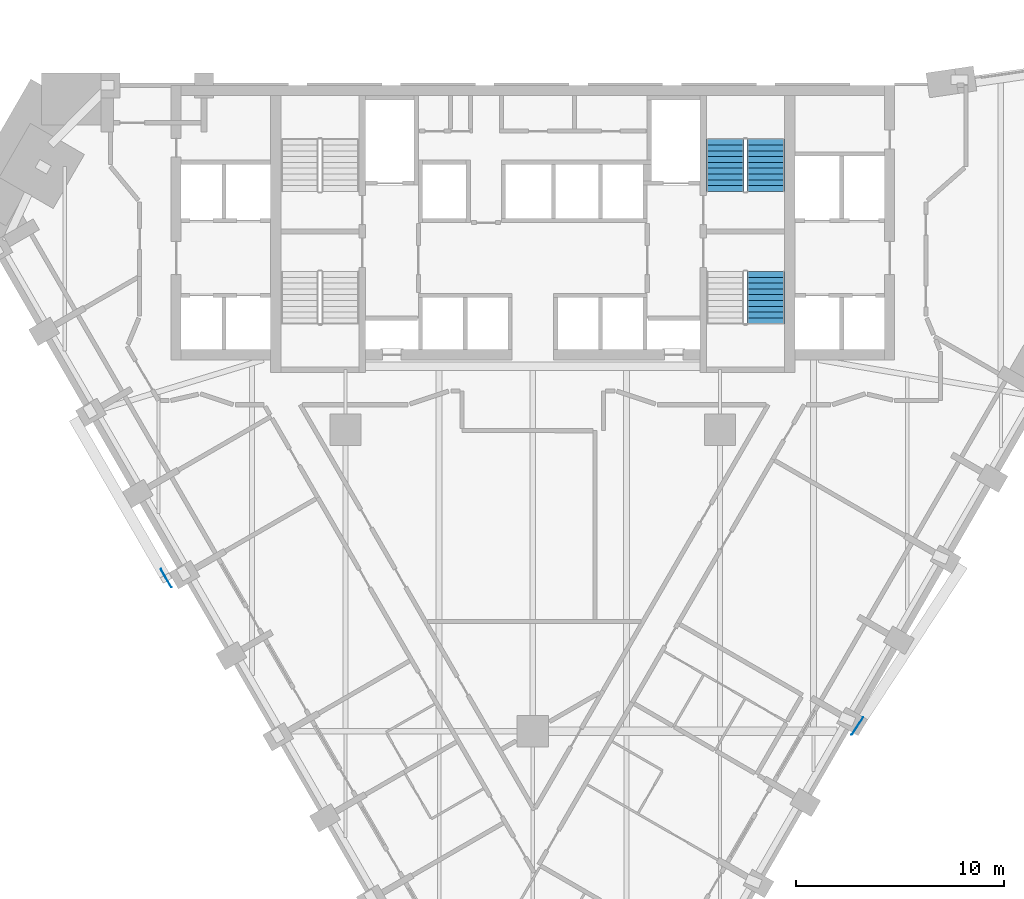
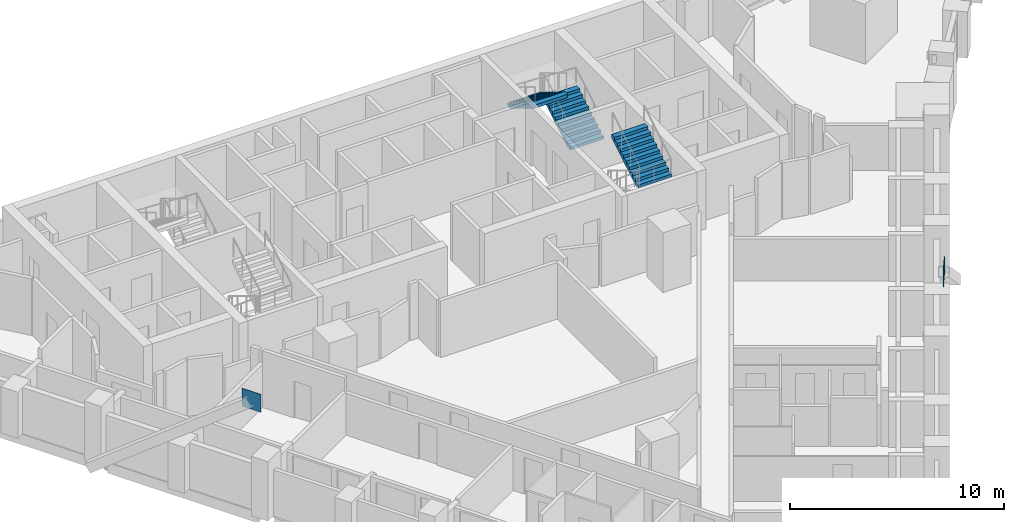
# One storey, part 10 of 11: 3 stair flights, 2 discrete accessories, 2 elements without a shape of their own.
"""IFC4 building model written with IfcOpenShell, lengths in metres."""

from ifc_helpers import new_model, si_unit, direction, frame, origin, origin_2d, place, context, subcontext, project, spatial, rectangle, extrude, faceted_brep, source, transform, mapped, material, type_object, element, aggregate, save


model = new_model("IFC4")

# Units and contexts
model_context = context("Model", 3, precision=1e-05, world=origin(), true_north=direction((0.0, 1.0)))
body_context = subcontext(model_context, "Body", "Model", "MODEL_VIEW")
ifc_project = project(units=[si_unit("LENGTHUNIT", "METRE"), si_unit("AREAUNIT", "SQUARE_METRE"), si_unit("VOLUMEUNIT", "CUBIC_METRE"), si_unit("PLANEANGLEUNIT", "RADIAN"), si_unit("MASSUNIT", "GRAM", prefix="KILO")], contexts=[model_context])

# Site, building, storey
site_placement = place(None, origin())
site = spatial("IfcSite", under=ifc_project, at=site_placement, CompositionType="ELEMENT")
building_placement = place(site_placement, origin())
building = spatial("IfcBuilding", under=site, at=building_placement, Name="Calabash Gate Tower", CompositionType="ELEMENT")
storey_placement = place(building_placement, frame((0.0, 0.0, 98.60009765625)))
storey = spatial("IfcBuildingStorey", under=building, at=storey_placement, Name="L21", CompositionType="ELEMENT", Elevation=98.60009765625)

# Stair, stair flights
ifc_material_1 = material(Name="Concrete C40/50", Category="concrete")
stair_type = type_object("IfcStairType", Name="Exit stair 20 risers of 170 mm", PredefinedType="HALF_TURN_STAIR", material=ifc_material_1)
stair_1_placement = place(storey_placement, origin())
stair_1 = element("IfcStair", 1, at=stair_1_placement, inside=storey, type_object=stair_type, Name="L21 Exit stair ST3", PredefinedType="HALF_TURN_STAIR")
ifc_material_2 = material(Name="Concrete C40/50", Category="concrete")
stair_flight_type = type_object("IfcStairFlightType", Name="Exit stair flight SFL", PredefinedType="STRAIGHT", material=ifc_material_2)
shared_shape = source(origin(), body_context, "Body", "Brep", [
    faceted_brep([(-0.0009765625, -0.89990234375, 0.0), (0.2880859375, -0.89990234375, 0.0), (2.511962890625, -0.89990234375, 1.3544921875), (-0.0009765625, 0.89990234375, 0.0), (2.511962890625, 0.89990234375, 1.3544921875), (0.2880859375, 0.89990234375, 0.0), (2.511962890625, -0.89990234375, 1.5419921875), (2.510986328125, -0.89990234375, 1.5419921875), (2.510986328125, 0.89990234375, 1.5419921875), (2.511962890625, 0.89990234375, 1.5419921875), (2.510986328125, -0.89990234375, 1.530029296875), (2.510986328125, 0.89990234375, 1.530029296875), (2.23193359375, -0.89990234375, 1.530029296875), (2.23193359375, 0.89990234375, 1.530029296875), (2.23193359375, -0.89990234375, 1.360107421875), (2.23193359375, 0.89990234375, 1.360107421875), (1.952880859375, -0.89990234375, 1.360107421875), (1.952880859375, 0.89990234375, 1.360107421875), (1.952880859375, -0.89990234375, 1.18994140625), (1.952880859375, 0.89990234375, 1.18994140625), (1.674072265625, -0.89990234375, 1.18994140625), (1.674072265625, -0.89990234375, 1.02001953125), (1.674072265625, 0.89990234375, 1.02001953125), (1.674072265625, 0.89990234375, 1.18994140625), (1.39501953125, -0.89990234375, 1.02001953125), (1.39501953125, -0.89990234375, 0.85009765625), (1.39501953125, 0.89990234375, 0.85009765625), (1.39501953125, 0.89990234375, 1.02001953125), (1.115966796875, -0.89990234375, 0.85009765625), (1.115966796875, -0.89990234375, 0.679931640625), (1.115966796875, 0.89990234375, 0.679931640625), (1.115966796875, 0.89990234375, 0.85009765625), (0.8369140625, -0.89990234375, 0.679931640625), (0.8369140625, -0.89990234375, 0.510009765625), (0.8369140625, 0.89990234375, 0.510009765625), (0.8369140625, 0.89990234375, 0.679931640625), (0.55810546875, -0.89990234375, 0.510009765625), (0.55810546875, -0.89990234375, 0.340087890625), (0.55810546875, 0.89990234375, 0.340087890625), (0.55810546875, 0.89990234375, 0.510009765625), (0.279052734375, -0.89990234375, 0.340087890625), (0.279052734375, -0.89990234375, 0.169921875), (0.279052734375, 0.89990234375, 0.169921875), (0.279052734375, 0.89990234375, 0.340087890625), (-0.0009765625, -0.89990234375, 0.169921875), (-0.0009765625, 0.89990234375, 0.169921875), (0.2880859375, -0.360107421875, 0.0), (2.511962890625, -0.360107421875, 1.3544921875), (0.2880859375, -0.179931640625, 0.0), (2.511962890625, -0.179931640625, 1.3544921875), (0.2880859375, 0.0, 0.0), (2.511962890625, 0.0, 1.3544921875), (0.2880859375, 0.179931640625, 0.0), (2.511962890625, 0.179931640625, 1.3544921875), (0.2880859375, 0.360107421875, 0.0), (2.511962890625, 0.360107421875, 1.3544921875), (2.511962890625, -0.360107421875, 1.5419921875), (2.511962890625, -0.179931640625, 1.5419921875), (2.511962890625, 0.0, 1.5419921875), (2.511962890625, 0.179931640625, 1.5419921875), (2.511962890625, 0.360107421875, 1.5419921875), (2.510986328125, -0.360107421875, 1.5419921875), (2.510986328125, -0.179931640625, 1.5419921875), (2.510986328125, 0.0, 1.5419921875), (2.510986328125, 0.179931640625, 1.5419921875), (2.510986328125, 0.360107421875, 1.5419921875), (2.510986328125, -0.360107421875, 1.530029296875), (2.510986328125, -0.179931640625, 1.530029296875), (2.510986328125, 0.0, 1.530029296875), (2.510986328125, 0.179931640625, 1.530029296875), (2.510986328125, 0.360107421875, 1.530029296875), (2.23193359375, -0.360107421875, 1.530029296875), (2.23193359375, -0.179931640625, 1.530029296875), (2.23193359375, 0.0, 1.530029296875), (2.23193359375, 0.179931640625, 1.530029296875), (2.23193359375, 0.360107421875, 1.530029296875), (2.23193359375, -0.360107421875, 1.360107421875), (2.23193359375, -0.179931640625, 1.360107421875), (2.23193359375, 0.0, 1.360107421875), (2.23193359375, 0.179931640625, 1.360107421875), (2.23193359375, 0.360107421875, 1.360107421875), (1.952880859375, -0.360107421875, 1.360107421875), (1.952880859375, -0.179931640625, 1.360107421875), (1.952880859375, 0.0, 1.360107421875), (1.952880859375, 0.179931640625, 1.360107421875), (1.952880859375, 0.360107421875, 1.360107421875), (1.952880859375, -0.360107421875, 1.18994140625), (1.952880859375, -0.179931640625, 1.18994140625), (1.952880859375, 0.0, 1.18994140625), (1.952880859375, 0.179931640625, 1.18994140625), (1.952880859375, 0.360107421875, 1.18994140625), (1.674072265625, -0.360107421875, 1.18994140625), (1.674072265625, -0.179931640625, 1.18994140625), (1.674072265625, 0.0, 1.18994140625), (1.674072265625, 0.179931640625, 1.18994140625), (1.674072265625, 0.360107421875, 1.18994140625), (1.674072265625, -0.360107421875, 1.02001953125), (1.674072265625, -0.179931640625, 1.02001953125), (1.674072265625, 0.0, 1.02001953125), (1.674072265625, 0.179931640625, 1.02001953125), (1.674072265625, 0.360107421875, 1.02001953125), (1.39501953125, -0.360107421875, 1.02001953125), (1.39501953125, -0.179931640625, 1.02001953125), (1.39501953125, 0.0, 1.02001953125), (1.39501953125, 0.179931640625, 1.02001953125), (1.39501953125, 0.360107421875, 1.02001953125), (1.39501953125, -0.360107421875, 0.85009765625), (1.39501953125, -0.179931640625, 0.85009765625), (1.39501953125, 0.0, 0.85009765625), (1.39501953125, 0.179931640625, 0.85009765625), (1.39501953125, 0.360107421875, 0.85009765625), (1.115966796875, -0.360107421875, 0.85009765625), (1.115966796875, -0.179931640625, 0.85009765625), (1.115966796875, 0.0, 0.85009765625), (1.115966796875, 0.179931640625, 0.85009765625), (1.115966796875, 0.360107421875, 0.85009765625), (1.115966796875, -0.360107421875, 0.679931640625), (1.115966796875, -0.179931640625, 0.679931640625), (1.115966796875, 0.0, 0.679931640625), (1.115966796875, 0.179931640625, 0.679931640625), (1.115966796875, 0.360107421875, 0.679931640625), (0.8369140625, -0.360107421875, 0.679931640625), (0.8369140625, -0.179931640625, 0.679931640625), (0.8369140625, 0.0, 0.679931640625), (0.8369140625, 0.179931640625, 0.679931640625), (0.8369140625, 0.360107421875, 0.679931640625), (0.8369140625, -0.360107421875, 0.510009765625), (0.8369140625, -0.179931640625, 0.510009765625), (0.8369140625, 0.0, 0.510009765625), (0.8369140625, 0.179931640625, 0.510009765625), (0.8369140625, 0.360107421875, 0.510009765625), (0.55810546875, -0.360107421875, 0.510009765625), (0.55810546875, -0.179931640625, 0.510009765625), (0.55810546875, 0.0, 0.510009765625), (0.55810546875, 0.179931640625, 0.510009765625), (0.55810546875, 0.360107421875, 0.510009765625), (0.55810546875, -0.360107421875, 0.340087890625), (0.55810546875, -0.179931640625, 0.340087890625), (0.55810546875, 0.0, 0.340087890625), (0.55810546875, 0.179931640625, 0.340087890625), (0.55810546875, 0.360107421875, 0.340087890625), (0.279052734375, -0.360107421875, 0.340087890625), (0.279052734375, -0.179931640625, 0.340087890625), (0.279052734375, 0.0, 0.340087890625), (0.279052734375, 0.179931640625, 0.340087890625), (0.279052734375, 0.360107421875, 0.340087890625), (0.279052734375, -0.360107421875, 0.169921875), (0.279052734375, -0.179931640625, 0.169921875), (0.279052734375, 0.0, 0.169921875), (0.279052734375, 0.179931640625, 0.169921875), (0.279052734375, 0.360107421875, 0.169921875), (-0.0009765625, -0.360107421875, 0.169921875), (-0.0009765625, -0.179931640625, 0.169921875), (-0.0009765625, 0.0, 0.169921875), (-0.0009765625, 0.179931640625, 0.169921875), (-0.0009765625, 0.360107421875, 0.169921875), (-0.0009765625, -0.360107421875, 0.0), (-0.0009765625, -0.179931640625, 0.0), (-0.0009765625, 0.0, 0.0), (-0.0009765625, 0.179931640625, 0.0), (-0.0009765625, 0.360107421875, 0.0)], [[[0, 1, 2]], [[3, 4, 5]], [[2, 6, 7]], [[4, 8, 9]], [[2, 7, 10]], [[4, 11, 8]], [[2, 10, 12]], [[4, 13, 11]], [[2, 12, 14]], [[4, 15, 13]], [[2, 14, 16]], [[4, 17, 15]], [[2, 16, 18]], [[4, 19, 17]], [[18, 20, 21]], [[19, 22, 23]], [[2, 18, 21]], [[4, 22, 19]], [[21, 24, 25]], [[22, 26, 27]], [[2, 21, 25]], [[4, 26, 22]], [[25, 28, 29]], [[26, 30, 31]], [[2, 25, 29]], [[4, 30, 26]], [[29, 32, 33]], [[30, 34, 35]], [[2, 29, 33]], [[4, 34, 30]], [[33, 36, 37]], [[34, 38, 39]], [[2, 33, 37]], [[4, 38, 34]], [[37, 40, 41]], [[38, 42, 43]], [[2, 37, 41]], [[4, 42, 38]], [[0, 2, 41]], [[3, 42, 4]], [[41, 44, 0]], [[42, 3, 45]], [[1, 46, 2]], [[46, 47, 2]], [[46, 48, 47]], [[48, 49, 47]], [[48, 50, 49]], [[50, 51, 49]], [[50, 52, 53]], [[50, 53, 51]], [[52, 54, 55]], [[52, 55, 53]], [[54, 5, 4]], [[54, 4, 55]], [[2, 47, 6]], [[47, 56, 6]], [[47, 49, 56]], [[49, 57, 56]], [[49, 51, 57]], [[51, 58, 57]], [[51, 53, 59]], [[51, 59, 58]], [[53, 55, 60]], [[53, 60, 59]], [[55, 4, 9]], [[55, 9, 60]], [[6, 56, 7]], [[56, 61, 7]], [[56, 57, 61]], [[57, 62, 61]], [[57, 58, 62]], [[58, 63, 62]], [[58, 59, 64]], [[58, 64, 63]], [[59, 60, 65]], [[59, 65, 64]], [[60, 9, 8]], [[60, 8, 65]], [[7, 61, 10]], [[61, 66, 10]], [[61, 62, 66]], [[62, 67, 66]], [[62, 63, 67]], [[63, 68, 67]], [[63, 64, 69]], [[63, 69, 68]], [[64, 65, 70]], [[64, 70, 69]], [[65, 8, 11]], [[65, 11, 70]], [[10, 66, 12]], [[66, 71, 12]], [[66, 67, 71]], [[67, 72, 71]], [[67, 68, 72]], [[68, 73, 72]], [[68, 69, 74]], [[68, 74, 73]], [[69, 70, 75]], [[69, 75, 74]], [[70, 11, 13]], [[70, 13, 75]], [[12, 71, 14]], [[71, 76, 14]], [[71, 72, 76]], [[72, 77, 76]], [[72, 73, 77]], [[73, 78, 77]], [[73, 74, 79]], [[73, 79, 78]], [[74, 75, 80]], [[74, 80, 79]], [[75, 13, 15]], [[75, 15, 80]], [[14, 76, 16]], [[76, 81, 16]], [[76, 77, 81]], [[77, 82, 81]], [[77, 78, 82]], [[78, 83, 82]], [[78, 79, 84]], [[78, 84, 83]], [[79, 80, 85]], [[79, 85, 84]], [[80, 15, 17]], [[80, 17, 85]], [[16, 81, 18]], [[81, 86, 18]], [[81, 82, 86]], [[82, 87, 86]], [[82, 83, 87]], [[83, 88, 87]], [[83, 84, 89]], [[83, 89, 88]], [[84, 85, 90]], [[84, 90, 89]], [[85, 17, 19]], [[85, 19, 90]], [[18, 86, 20]], [[86, 91, 20]], [[86, 87, 91]], [[87, 92, 91]], [[87, 88, 92]], [[88, 93, 92]], [[88, 89, 94]], [[88, 94, 93]], [[89, 90, 95]], [[89, 95, 94]], [[90, 19, 23]], [[90, 23, 95]], [[20, 91, 21]], [[91, 96, 21]], [[91, 92, 96]], [[92, 97, 96]], [[92, 93, 97]], [[93, 98, 97]], [[93, 94, 99]], [[93, 99, 98]], [[94, 95, 100]], [[94, 100, 99]], [[95, 23, 22]], [[95, 22, 100]], [[21, 96, 24]], [[96, 101, 24]], [[96, 97, 101]], [[97, 102, 101]], [[97, 98, 102]], [[98, 103, 102]], [[98, 99, 104]], [[98, 104, 103]], [[99, 100, 105]], [[99, 105, 104]], [[100, 22, 27]], [[100, 27, 105]], [[24, 101, 25]], [[101, 106, 25]], [[101, 102, 106]], [[102, 107, 106]], [[102, 103, 107]], [[103, 108, 107]], [[103, 104, 109]], [[103, 109, 108]], [[104, 105, 110]], [[104, 110, 109]], [[105, 27, 26]], [[105, 26, 110]], [[25, 106, 28]], [[106, 111, 28]], [[106, 107, 111]], [[107, 112, 111]], [[107, 108, 112]], [[108, 113, 112]], [[108, 109, 114]], [[108, 114, 113]], [[109, 110, 115]], [[109, 115, 114]], [[110, 26, 31]], [[110, 31, 115]], [[28, 111, 29]], [[111, 116, 29]], [[111, 112, 116]], [[112, 117, 116]], [[112, 113, 117]], [[113, 118, 117]], [[113, 114, 119]], [[113, 119, 118]], [[114, 115, 120]], [[114, 120, 119]], [[115, 31, 30]], [[115, 30, 120]], [[29, 116, 32]], [[116, 121, 32]], [[116, 117, 121]], [[117, 122, 121]], [[117, 118, 122]], [[118, 123, 122]], [[118, 119, 124]], [[118, 124, 123]], [[119, 120, 125]], [[119, 125, 124]], [[120, 30, 35]], [[120, 35, 125]], [[32, 121, 33]], [[121, 126, 33]], [[121, 122, 126]], [[122, 127, 126]], [[122, 123, 127]], [[123, 128, 127]], [[123, 124, 129]], [[123, 129, 128]], [[124, 125, 130]], [[124, 130, 129]], [[125, 35, 34]], [[125, 34, 130]], [[33, 126, 36]], [[126, 131, 36]], [[126, 127, 131]], [[127, 132, 131]], [[127, 128, 132]], [[128, 133, 132]], [[128, 129, 134]], [[128, 134, 133]], [[129, 130, 135]], [[129, 135, 134]], [[130, 34, 39]], [[130, 39, 135]], [[36, 131, 37]], [[131, 136, 37]], [[131, 132, 136]], [[132, 137, 136]], [[132, 133, 137]], [[133, 138, 137]], [[133, 134, 139]], [[133, 139, 138]], [[134, 135, 140]], [[134, 140, 139]], [[135, 39, 38]], [[135, 38, 140]], [[37, 136, 40]], [[136, 141, 40]], [[136, 137, 141]], [[137, 142, 141]], [[137, 138, 142]], [[138, 143, 142]], [[138, 139, 144]], [[138, 144, 143]], [[139, 140, 145]], [[139, 145, 144]], [[140, 38, 43]], [[140, 43, 145]], [[40, 141, 41]], [[141, 146, 41]], [[141, 142, 146]], [[142, 147, 146]], [[142, 143, 147]], [[143, 148, 147]], [[143, 144, 149]], [[143, 149, 148]], [[144, 145, 150]], [[144, 150, 149]], [[145, 43, 42]], [[145, 42, 150]], [[41, 146, 44]], [[146, 151, 44]], [[146, 147, 151]], [[147, 152, 151]], [[147, 148, 152]], [[148, 153, 152]], [[148, 149, 154]], [[148, 154, 153]], [[149, 150, 155]], [[149, 155, 154]], [[150, 42, 45]], [[150, 45, 155]], [[44, 151, 0]], [[151, 156, 0]], [[151, 152, 156]], [[152, 157, 156]], [[152, 153, 157]], [[153, 158, 157]], [[153, 154, 159]], [[153, 159, 158]], [[154, 155, 160]], [[154, 160, 159]], [[155, 45, 3]], [[155, 3, 160]], [[0, 156, 1]], [[156, 46, 1]], [[156, 157, 46]], [[157, 48, 46]], [[157, 158, 48]], [[158, 50, 48]], [[158, 159, 52]], [[158, 52, 50]], [[159, 160, 54]], [[159, 54, 52]], [[160, 3, 5]], [[160, 5, 54]]]),
])
stair_flight_1_placement = place(storey_placement, frame((11.199951171875, 13.95263671875, 0.0), z_axis=(0.0, 0.0, 1.0), x_axis=(0.0, 1.0, 0.0)))
stair_flight_1 = element("IfcStairFlight", 2, at=stair_flight_1_placement, type_object=stair_flight_type, Name="ST3 flight 1", NumberOfRisers=10, NumberOfTreads=9, PredefinedType="STRAIGHT", RiserHeight=0.17, TreadLength=0.279, context=body_context, shape_type="MappedRepresentation", body=[
    mapped(shared_shape, transform((0.0, 0.0, 0.0), scale=1.0)),
])
stair_flight_2_placement = place(storey_placement, frame((9.25, 16.463623046875, 1.699951171875), z_axis=(0.0, 0.0, 1.0), x_axis=(0.0, -1.0, 0.0)))
stair_flight_2 = element("IfcStairFlight", 3, at=stair_flight_2_placement, type_object=stair_flight_type, Name="ST3 flight 2", NumberOfRisers=10, NumberOfTreads=9, PredefinedType="STRAIGHT", RiserHeight=0.17, TreadLength=0.279, context=body_context, shape_type="MappedRepresentation", body=[
    mapped(shared_shape, transform((0.0, 0.0, 0.0), scale=1.0)),
])
aggregate(stair_1, [stair_flight_1, stair_flight_2])

# Stair, stair flight
stair_2_placement = place(storey_placement, origin())
stair_2 = element("IfcStair", 4, at=stair_2_placement, inside=storey, type_object=stair_type, Name="L21 Exit stair ST4", PredefinedType="HALF_TURN_STAIR")
stair_flight_3_placement = place(storey_placement, frame((11.199951171875, 7.591552734375, 1.699951171875), z_axis=(0.0, 0.0, 1.0), x_axis=(0.0, 1.0, 0.0)))
stair_flight_3 = element("IfcStairFlight", 5, at=stair_flight_3_placement, type_object=stair_flight_type, Name="ST4 flight 2", NumberOfRisers=10, NumberOfTreads=9, PredefinedType="STRAIGHT", RiserHeight=0.17, TreadLength=0.279, context=body_context, shape_type="MappedRepresentation", body=[
    mapped(shared_shape, transform((0.0, 0.0, 0.0), scale=1.0)),
])
aggregate(stair_2, [stair_flight_3])

# Discrete accessories
ifc_material_3 = material(Name="Steel ASTM A572 Gr50", Category="steel")
discrete_accessory_type = type_object("IfcDiscreteAccessoryType", Name="Connection plate 25", PredefinedType="BRACKET", material=ifc_material_3)
for number, where, z_axis, x_axis, name in (
    (6, (-17.62939453125, -4.6376953125, 6.29345703125), (0.0, 0.0, 1.0), (0.50000009069, -0.866025351425, 0.0), "Connection plate Mega-brace SW Z2 12 end"),
    (7, (15.606689453125, -11.748046875, 6.29345703125), (0.0, 0.0, 1.0), (-0.548470397412, -0.83616997265, 0.0), "Connection plate Mega-brace SE Z2 17 end"),
):
    element("IfcDiscreteAccessory", number, at=place(storey_placement, frame(where, z_axis=z_axis, x_axis=x_axis)), inside=storey, type_object=discrete_accessory_type, Name=name, PredefinedType="BRACKET", context=body_context, shape_type="SweptSolid", body=[
        extrude(rectangle(XDim=1.0126953125, YDim=0.02490234375, at=origin_2d()), origin(), (0.0, 0.0, 1.0), 1.0126953125),
    ])

save(model, "model.ifc")
